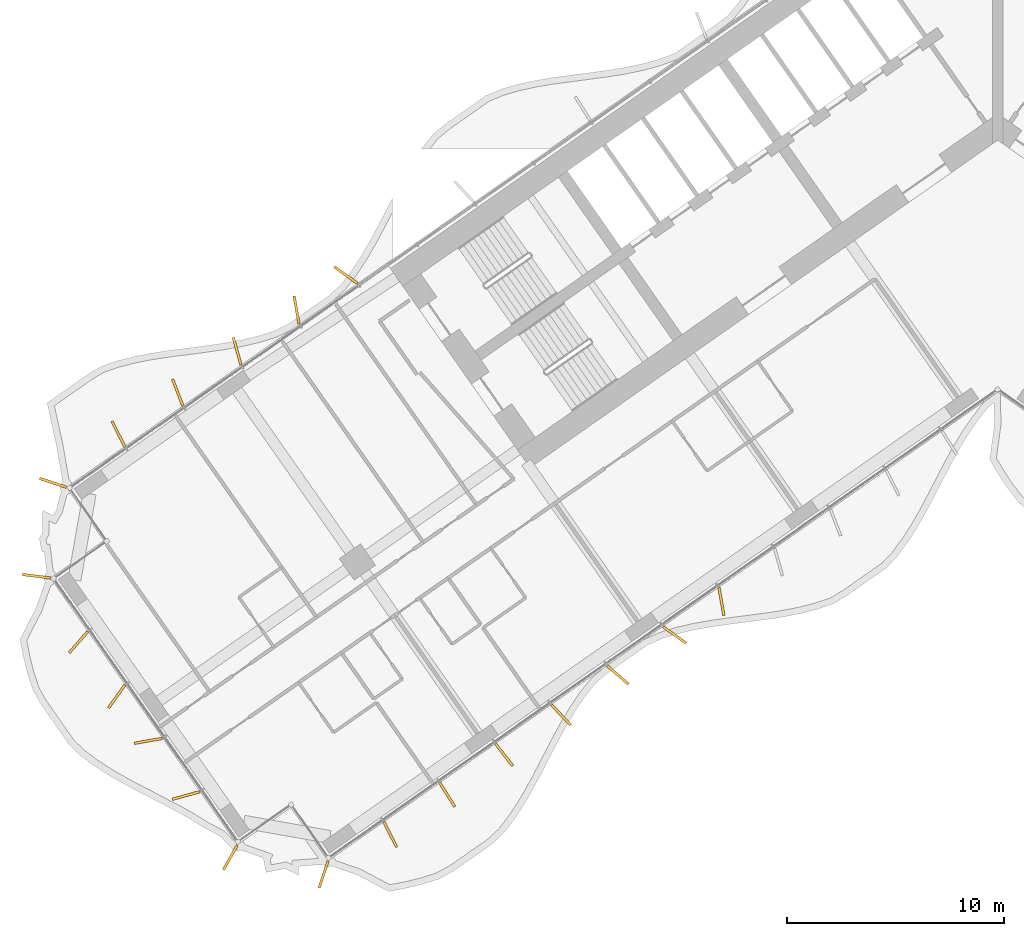
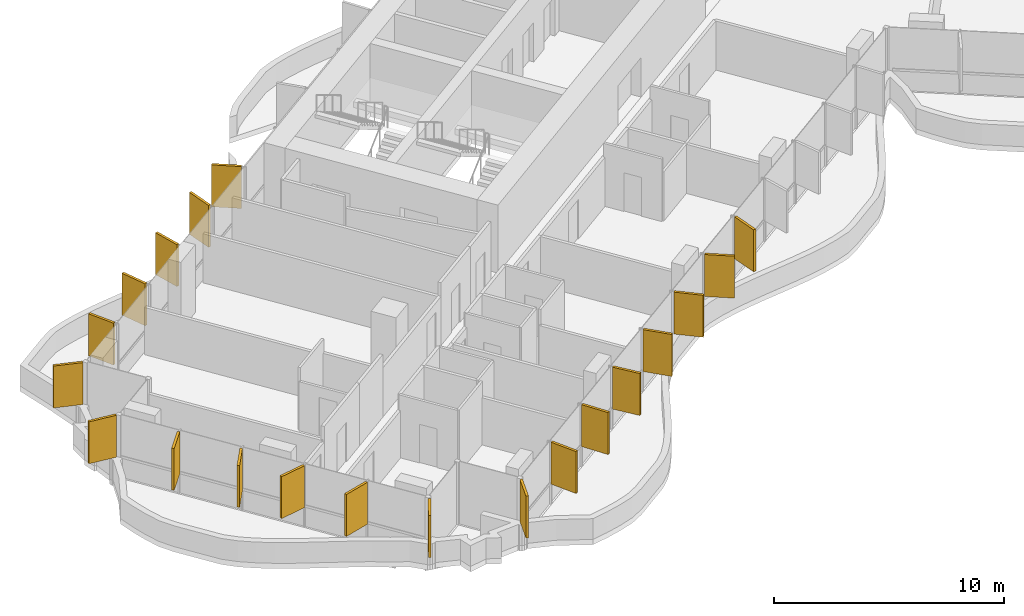
# One storey, part 19 of 24: 20 shading devices.
"""IFC4 building model written with IfcOpenShell, lengths in metres."""

from ifc_helpers import new_model, si_unit, direction, frame, origin, origin_2d, place, context, subcontext, project, spatial, rectangle, extrude, material, layer, layer_set, type_object, element, save


model = new_model("IFC4")

# Units and contexts
model_context = context("Model", 3, precision=1e-05, world=origin(), true_north=direction((0.0, 1.0)))
body_context = subcontext(model_context, "Body", "Model", "MODEL_VIEW")
ifc_project = project(units=[si_unit("LENGTHUNIT", "METRE"), si_unit("AREAUNIT", "SQUARE_METRE"), si_unit("VOLUMEUNIT", "CUBIC_METRE"), si_unit("PLANEANGLEUNIT", "RADIAN"), si_unit("MASSUNIT", "GRAM", prefix="KILO")], contexts=[model_context])

# Site, building, storey
site_placement = place(None, origin())
site = spatial("IfcSite", under=ifc_project, at=site_placement, CompositionType="ELEMENT")
building_placement = place(site_placement, origin())
building = spatial("IfcBuilding", under=site, at=building_placement, Name="Tel Ilan Convention Tower", CompositionType="ELEMENT")
storey_placement = place(building_placement, frame((0.0, 0.0, 72.5)))
storey = spatial("IfcBuildingStorey", under=building, at=storey_placement, Name="L13", CompositionType="ELEMENT", Elevation=72.5)

# Shading devices
ifc_material = material(Name="Aluminium, bronze anodised", Category="aluminium")
ifc_layer = layer(ifc_material, 0.1201171875)
ifc_layer_set = layer_set([ifc_layer], Name="FIN BRONZE 1300x120")
shading_device_type = type_object("IfcShadingDeviceType", Name="FIN BRONZE 1300x120", PredefinedType="USERDEFINED", material=ifc_layer_set)
for number, where, z_axis, x_axis, name in (
    (1, (-30.02294921875, -7.43212890625, 1.10009765625), (0.0, 0.0, 1.0), (-0.813552070258, 0.581492071294, 0.0), "FIN"),
    (2, (-32.29052734375, -9.04248046875, 1.10009765625), (0.0, 0.0, 1.0), (-0.173648177667, 0.984807753012, 0.0), "FIN"),
    (3, (-35.029052734375, -10.9375, 1.10009765625), (0.0, 0.0, 1.0), (-0.268172612768, 0.963370878614, 0.0), "FIN"),
    (4, (-37.765869140625, -12.838623046875, 1.10009765625), (0.0, 0.0, 1.0), (-0.360177724803, 0.932883704733, 0.0), "FIN"),
    (5, (-40.50048828125, -14.74560546875, 1.10009765625), (0.0, 0.0, 1.0), (-0.448799180206, 0.893632640321, 0.0), "FIN"),
    (6, (-43.509521484375, -17.00390625, 1.10009765625), (0.0, 0.0, 1.0), (-0.949242643575, 0.314544756146, 0.0), "FIN"),
    (7, (-44.268310546875, -21.305908203125, 1.10009765625), (0.0, 0.0, 1.0), (-0.992066016082, 0.125718016748, 0.0), "FIN"),
    (8, (-42.339111328125, -24.34326171875, 1.10009765625), (0.0, 0.0, 1.0), (-0.657521368568, -0.753435896329, 0.0), "FIN"),
    (9, (-40.573486328125, -26.843017578125, 1.10009765625), (0.0, 0.0, 1.0), (-0.581492071294, -0.813552070258, 0.0), "FIN"),
    (10, (-39.119384765625, -28.887451171875, 1.10009765625), (0.0, 0.0, 1.0), (-0.984807753012, -0.173648177667, 0.0), "FIN"),
    (11, (-37.38037109375, -31.4033203125, 1.10009765625), (0.0, 0.0, 1.0), (-0.963370878614, -0.268172612768, 0.0), "FIN"),
    (12, (-35.34033203125, -34.260498046875, 1.10009765625), (0.0, 0.0, 1.0), (-0.491579408049, -0.870832754082, 0.0), "FIN"),
    (13, (-31.045166015625, -35.037109375, 1.10009765625), (0.0, 0.0, 1.0), (-0.314544756146, -0.949242643575, 0.0), "FIN"),
    (14, (-27.972900390625, -33.2001953125, 1.10009765625), (0.0, 0.0, 1.0), (0.448799180206, -0.893632640321, 0.0), "FIN"),
    (15, (-25.3515625, -31.364990234375, 1.10009765625), (0.0, 0.0, 1.0), (0.533204432798, -0.845986425922, 0.0), "FIN"),
    (16, (-22.72998046875, -29.529296875, 1.10009765625), (0.0, 0.0, 1.0), (0.612600545196, -0.790392669516, 0.0), "FIN"),
    (17, (-20.10888671875, -27.693603515625, 1.10009765625), (0.0, 0.0, 1.0), (0.686241637865, -0.727373641577, 0.0), "FIN"),
    (18, (-17.491943359375, -25.853271484375, 1.10009765625), (0.0, 0.0, 1.0), (0.753435896329, -0.657521368568, 0.0), "FIN"),
    (19, (-14.879638671875, -24.009033203125, 1.10009765625), (0.0, 0.0, 1.0), (0.813552070258, -0.581492071294, 0.0), "FIN"),
    (20, (-12.72265625, -22.47607421875, 1.10009765625), (0.0, 0.0, 1.0), (0.173648177667, -0.984807753012, 0.0), "FIN"),
):
    element("IfcShadingDevice", number, at=place(storey_placement, frame(where, z_axis=z_axis, x_axis=x_axis)), inside=storey, type_object=shading_device_type, Name=name, ObjectType="FIN", PredefinedType="USERDEFINED", context=body_context, shape_type="SweptSolid", body=[
        extrude(rectangle(XDim=1.300048828125, YDim=0.1201171875, at=origin_2d()), origin(), (0.0, 0.0, 1.0), 2.219970703125),
    ])

save(model, "model.ifc")
